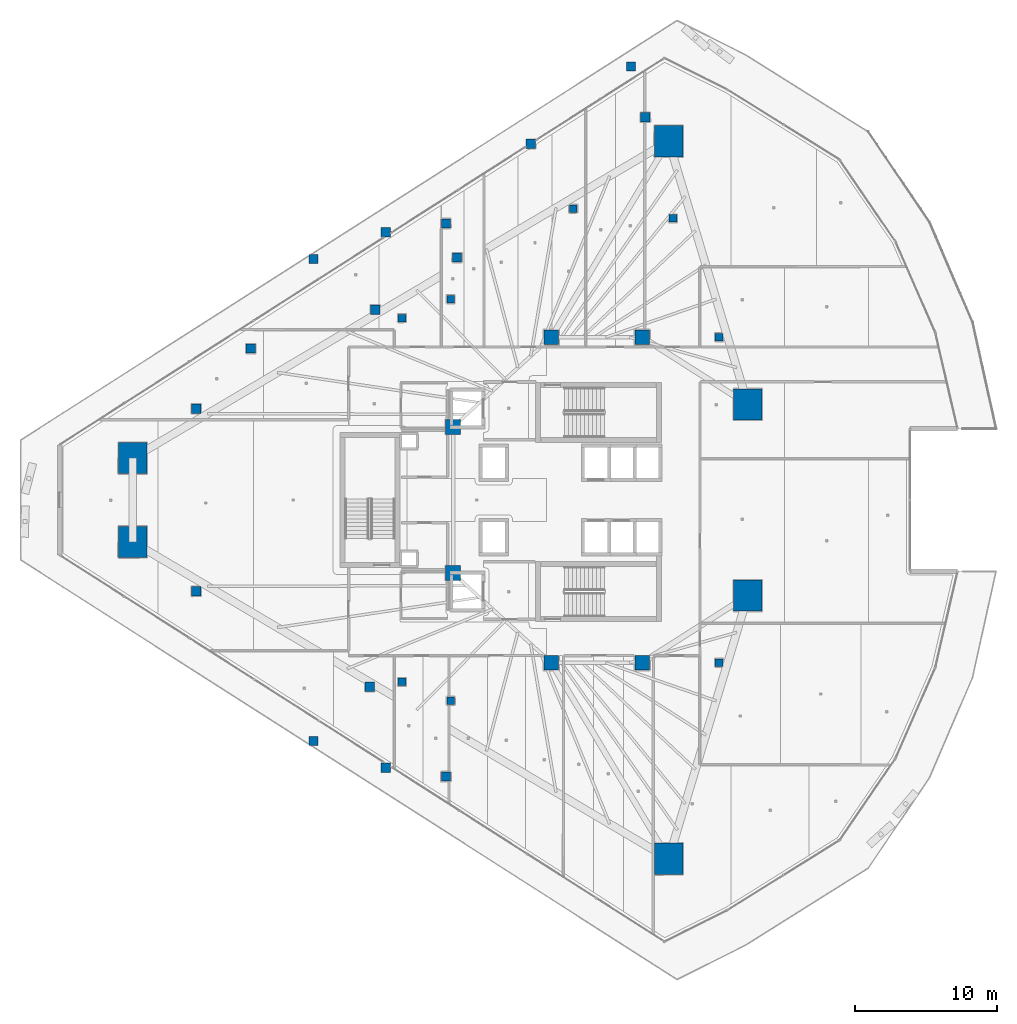
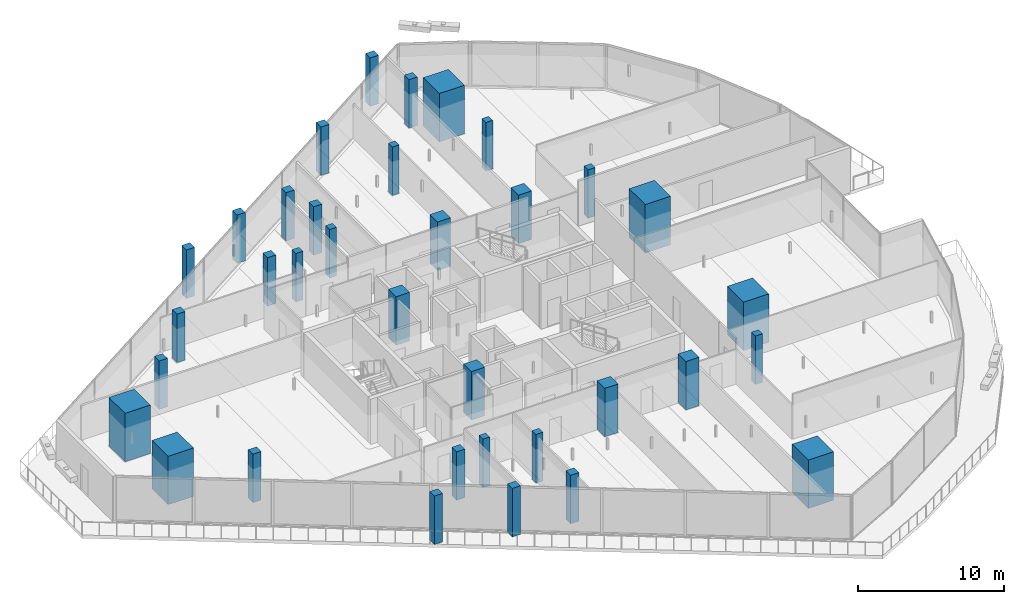
# One storey, part 1 of 45: 35 columns.
"""IFC4 building model written with IfcOpenShell, lengths in metres."""

from ifc_helpers import new_model, si_unit, direction, frame, origin, origin_2d, place, context, subcontext, project, spatial, rectangle, extrude, material, material_profile, profile_set, type_object, element, save


model = new_model("IFC4")

# Units and contexts
model_context = context("Model", 3, precision=1e-05, world=origin(), true_north=direction((0.0, 1.0)))
body_context = subcontext(model_context, "Body", "Model", "MODEL_VIEW")
ifc_project = project(units=[si_unit("LENGTHUNIT", "METRE"), si_unit("AREAUNIT", "SQUARE_METRE"), si_unit("VOLUMEUNIT", "CUBIC_METRE"), si_unit("PLANEANGLEUNIT", "RADIAN"), si_unit("MASSUNIT", "GRAM", prefix="KILO")], contexts=[model_context])

# Site, building, storey
site_placement = place(None, origin())
site = spatial("IfcSite", under=ifc_project, at=site_placement, CompositionType="ELEMENT")
building_placement = place(site_placement, origin())
building = spatial("IfcBuilding", under=site, at=building_placement, Name="Qorvath Tower", CompositionType="ELEMENT")
storey_placement = place(building_placement, frame((0.0, 0.0, 109.800048828125)))
storey = spatial("IfcBuildingStorey", under=building, at=storey_placement, Name="L24", CompositionType="ELEMENT", Elevation=109.800048828125)

# Columns
ifc_material_1 = material(Name="Concrete C70/85", Category="concrete")
ifc_material_profile_1 = material_profile(ifc_material_1, rectangle(XDim=2.0, YDim=2.199951171875, at=origin_2d()), Name="MC 2200x2000")
ifc_profile_set_1 = profile_set([ifc_material_profile_1], Name="Concrete C70/85")
column_type_1 = type_object("IfcColumnType", Name="COL-MC2", PredefinedType="COLUMN", material=ifc_profile_set_1)
for number, where, z_axis, x_axis, name in (
    (1, (-53.04931640625, 2.95068359375, 0.0), (0.0, 0.0, 1.0), (1.0, 0.0, 0.0), "Composite Mega-Column MC1 L24"),
    (2, (-53.04931640625, -2.95068359375, 0.0), (0.0, 0.0, 1.0), (1.0, 0.0, 0.0), "Composite Mega-Column MC2 L24"),
    (3, (-15.34423828125, -25.24609375, 0.0), (0.0, 0.0, 1.0), (1.0, 0.0, 0.0), "Composite Mega-Column MC3 L24"),
    (4, (-9.770263671875, -6.721435546875, 0.0), (0.0, 0.0, 1.0), (1.0, 0.0, 0.0), "Composite Mega-Column MC4 L24"),
    (5, (-9.770263671875, 6.721435546875, 0.0), (0.0, 0.0, 1.0), (1.0, 0.0, 0.0), "Composite Mega-Column MC5 L24"),
    (6, (-15.34423828125, 25.24609375, 0.0), (0.0, 0.0, 1.0), (1.0, 0.0, 0.0), "Composite Mega-Column MC6 L24"),
):
    element("IfcColumn", number, at=place(storey_placement, frame(where, z_axis=z_axis, x_axis=x_axis)), inside=storey, type_object=column_type_1, Name=name, PredefinedType="COLUMN", context=body_context, shape_type="SweptSolid", body=[
        extrude(rectangle(XDim=2.0, YDim=2.199951171875, at=origin_2d()), origin(), (0.0, 0.0, 1.0), 4.050048828125),
    ])
ifc_material_2 = material(Name="Concrete C60/75", Category="concrete")
ifc_material_profile_2 = material_profile(ifc_material_2, rectangle(XDim=1.050048828125, YDim=1.050048828125, at=origin_2d()), Name="RC 1050x1050")
ifc_profile_set_2 = profile_set([ifc_material_profile_2], Name="Concrete C60/75")
column_type_2 = type_object("IfcColumnType", Name="COL-RC2", PredefinedType="COLUMN", material=ifc_profile_set_2)
for number, where, z_axis, x_axis, name in (
    (7, (-23.60009765625, 11.449951171875, 0.0), (0.0, 0.0, 1.0), (1.0, 0.0, 0.0), "Core Spine Column CC1 L24"),
    (8, (-17.199951171875, 11.449951171875, 0.0), (0.0, 0.0, 1.0), (1.0, 0.0, 0.0), "Core Spine Column CC2 L24"),
    (9, (-17.199951171875, -11.449951171875, 0.0), (0.0, 0.0, 1.0), (1.0, 0.0, 0.0), "Core Spine Column CC3 L24"),
    (10, (-23.60009765625, -11.449951171875, 0.0), (0.0, 0.0, 1.0), (1.0, 0.0, 0.0), "Core Spine Column CC4 L24"),
    (11, (-30.5, 5.14990234375, 0.0), (0.0, 0.0, 1.0), (1.0, 0.0, 0.0), "Core Spine Column CC5 L24"),
    (12, (-30.5, -5.14990234375, 0.0), (0.0, 0.0, 1.0), (1.0, 0.0, 0.0), "Core Spine Column CC6 L24"),
):
    element("IfcColumn", number, at=place(storey_placement, frame(where, z_axis=z_axis, x_axis=x_axis)), inside=storey, type_object=column_type_2, Name=name, PredefinedType="COLUMN", context=body_context, shape_type="SweptSolid", body=[
        extrude(rectangle(XDim=1.050048828125, YDim=1.050048828125, at=origin_2d()), origin(), (0.0, 0.0, 1.0), 4.050048828125),
    ])
ifc_material_3 = material(Name="Concrete C45/55", Category="concrete")
ifc_material_profile_3 = material_profile(ifc_material_3, rectangle(XDim=0.64990234375, YDim=0.64990234375, at=origin_2d()), Name="RC 650x650")
ifc_profile_set_3 = profile_set([ifc_material_profile_3], Name="Concrete C45/55")
column_type_3 = type_object("IfcColumnType", Name="COL-RC6", PredefinedType="COLUMN", material=ifc_profile_set_3)
for number, where, z_axis, x_axis, name in (
    (13, (-40.33251953125, 16.955810546875, 0.0), (0.0, 0.0, 1.0), (1.0, 0.0, 0.0), "Loggia Frame Pier Column LGB1 L24"),
    (14, (-40.33251953125, -16.955810546875, 0.0), (0.0, 0.0, 1.0), (1.0, 0.0, 0.0), "Loggia Frame Pier Column LGB2 L24"),
    (15, (-18.0, 30.5, 0.0), (0.0, 0.0, 1.0), (1.0, 0.0, 0.0), "Loggia Frame Pier Column LGB3 L24"),
    (16, (-35.251708984375, 18.829345703125, 0.0), (0.0, 0.0, 1.0), (1.0, 0.0, 0.0), "Loggia Frame Pier Column LGC1 L24"),
    (17, (-35.251708984375, -18.829345703125, 0.0), (0.0, 0.0, 1.0), (1.0, 0.0, 0.0), "Loggia Frame Pier Column LGC2 L24"),
    (18, (-25.03759765625, 25.058837890625, 0.0), (0.0, 0.0, 1.0), (1.0, 0.0, 0.0), "Loggia Frame Pier Column LGC3 L24"),
    (19, (-31.01611328125, 19.46044921875, 0.0), (0.0, 0.0, 1.0), (1.0, 0.0, 0.0), "Loggia Frame Pier Column LGD1 L24"),
    (20, (-31.01611328125, -19.46044921875, 0.0), (0.0, 0.0, 1.0), (1.0, 0.0, 0.0), "Loggia Frame Pier Column LGD2 L24"),
    (21, (-44.736328125, 10.65234375, 0.0), (0.0, 0.0, 1.0), (1.0, 0.0, 0.0), "Loggia Frame Pier Column LGD3 L24"),
    (22, (-48.578369140625, 6.424560546875, 0.0), (0.0, 0.0, 1.0), (1.0, 0.0, 0.0), "Loggia Frame Pier Column LGE1 L24"),
    (23, (-48.578369140625, -6.424560546875, 0.0), (0.0, 0.0, 1.0), (1.0, 0.0, 0.0), "Loggia Frame Pier Column LGE2 L24"),
    (24, (-16.981201171875, 26.92919921875, 0.0), (0.0, 0.0, 1.0), (1.0, 0.0, 0.0), "Loggia Frame Pier Column LGE3 L24"),
    (25, (-35.980712890625, 13.380859375, 0.0), (0.0, 0.0, 1.0), (1.0, 0.0, 0.0), "Loggia Frame Pier Column LGF1 L24"),
    (26, (-36.36474609375, -13.135498046875, 0.0), (0.0, 0.0, 1.0), (1.0, 0.0, 0.0), "Loggia Frame Pier Column LGF2 L24"),
    (27, (-30.224853515625, 17.0595703125, 0.0), (0.0, 0.0, 1.0), (1.0, 0.0, 0.0), "Loggia Frame Pier Column LGF3 L24"),
):
    element("IfcColumn", number, at=place(storey_placement, frame(where, z_axis=z_axis, x_axis=x_axis)), inside=storey, type_object=column_type_3, Name=name, PredefinedType="COLUMN", context=body_context, shape_type="SweptSolid", body=[
        extrude(rectangle(XDim=0.64990234375, YDim=0.64990234375, at=origin_2d()), origin(), (0.0, 0.0, 1.0), 4.050048828125),
    ])
ifc_material_4 = material(Name="Concrete C45/55", Category="concrete")
ifc_material_profile_4 = material_profile(ifc_material_4, rectangle(XDim=0.550048828125, YDim=0.550048828125, at=origin_2d()), Name="RC 550x550")
ifc_profile_set_4 = profile_set([ifc_material_profile_4], Name="Concrete C45/55")
column_type_4 = type_object("IfcColumnType", Name="COL-RC7", PredefinedType="COLUMN", material=ifc_profile_set_4)
for number, where, z_axis, x_axis, name in (
    (28, (-34.104248046875, 12.79248046875, 0.0), (0.0, 0.0, 1.0), (1.0, 0.0, 0.0), "Loggia Frame Pier Column LGG1 L24"),
    (29, (-34.104248046875, -12.79248046875, 0.0), (0.0, 0.0, 1.0), (1.0, 0.0, 0.0), "Loggia Frame Pier Column LGG2 L24"),
    (30, (-22.05322265625, 20.494873046875, 0.0), (0.0, 0.0, 1.0), (1.0, 0.0, 0.0), "Loggia Frame Pier Column LGG3 L24"),
    (31, (-30.67724609375, 14.124267578125, 0.0), (0.0, 0.0, 1.0), (1.0, 0.0, 0.0), "Loggia Frame Pier Column LGH1 L24"),
    (32, (-30.67724609375, -14.124267578125, 0.0), (0.0, 0.0, 1.0), (1.0, 0.0, 0.0), "Loggia Frame Pier Column LGH2 L24"),
    (33, (-15.046142578125, 19.818115234375, 0.0), (0.0, 0.0, 1.0), (1.0, 0.0, 0.0), "Loggia Frame Pier Column LGH3 L24"),
    (34, (-11.800048828125, -11.449951171875, 0.0), (0.0, 0.0, 1.0), (1.0, 0.0, 0.0), "Central Slot Jamb Column SC1 L24"),
    (35, (-11.800048828125, 11.449951171875, 0.0), (0.0, 0.0, 1.0), (1.0, 0.0, 0.0), "Central Slot Jamb Column SC2 L24"),
):
    element("IfcColumn", number, at=place(storey_placement, frame(where, z_axis=z_axis, x_axis=x_axis)), inside=storey, type_object=column_type_4, Name=name, PredefinedType="COLUMN", context=body_context, shape_type="SweptSolid", body=[
        extrude(rectangle(XDim=0.550048828125, YDim=0.550048828125, at=origin_2d()), origin(), (0.0, 0.0, 1.0), 4.050048828125),
    ])

save(model, "model.ifc")
